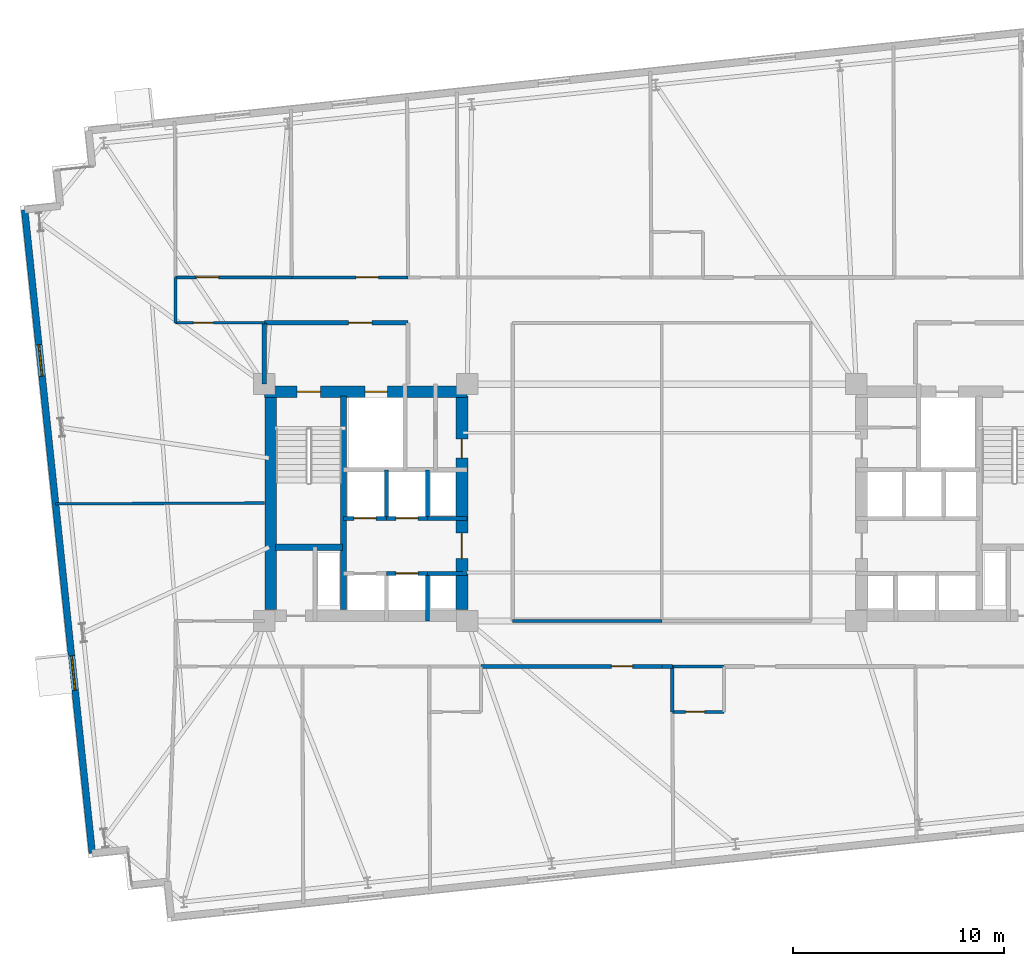
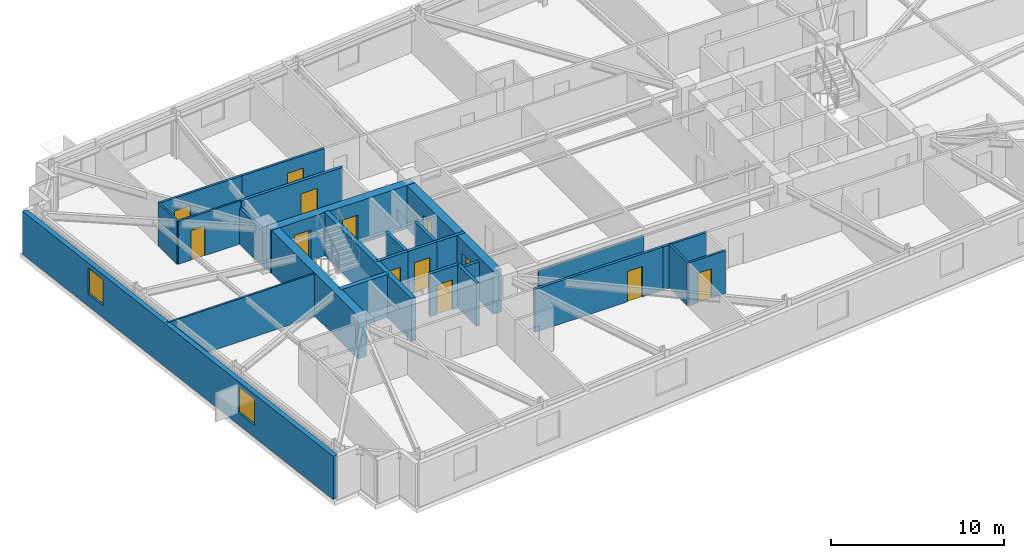
# One storey, part 12 of 18: 27 walls, 13 doors, 2 windows, 15 openings.
"""IFC4 building model written with IfcOpenShell, lengths in metres."""

from ifc_helpers import new_model, si_unit, direction, frame, frame_2d, origin, place, context, subcontext, project, spatial, rectangle, extrude, material, layer, layer_set, type_object, element, fill, save


model = new_model("IFC4")

# Units and contexts
model_context = context("Model", 3, precision=1e-05, world=origin(), true_north=direction((0.0, 1.0)))
body_context = subcontext(model_context, "Body", "Model", "MODEL_VIEW")
ifc_project = project(units=[si_unit("LENGTHUNIT", "METRE"), si_unit("AREAUNIT", "SQUARE_METRE"), si_unit("VOLUMEUNIT", "CUBIC_METRE"), si_unit("PLANEANGLEUNIT", "RADIAN"), si_unit("MASSUNIT", "GRAM", prefix="KILO")], contexts=[model_context])

# Site, building, storey
site_placement = place(None, origin())
site = spatial("IfcSite", under=ifc_project, at=site_placement, CompositionType="ELEMENT")
building_placement = place(site_placement, origin())
building = spatial("IfcBuilding", under=site, at=building_placement, Name="Qobustan Lattice House", CompositionType="ELEMENT")
storey_placement = place(building_placement, frame((0.0, 0.0, 109.14990234375)))
storey = spatial("IfcBuildingStorey", under=building, at=storey_placement, Name="L30", CompositionType="ELEMENT", Elevation=109.14990234375)

# Wall, openings, doors
ifc_material_1 = material(Name="Concrete C60/75", Category="concrete")
ifc_layer_1 = layer(ifc_material_1, 0.56005859375)
ifc_layer_set_1 = layer_set([ifc_layer_1], Name="Concrete C60/75")
wall_type_1 = type_object("IfcWallType", Name="WAL-CORE-600", PredefinedType="SHEAR", material=ifc_layer_set_1)
wall_1_placement = place(storey_placement, frame((-18.800048828125, 5.239990234375, 0.0), z_axis=(0.0, 0.0, 1.0), x_axis=(1.0, 0.0, 0.0)))
wall_1 = element("IfcWall", 1, at=wall_1_placement, inside=storey, type_object=wall_type_1, Name="L30 split-core shear wall CW-N", PredefinedType="SHEAR", context=body_context, shape_type="SweptSolid", body=[
    extrude(rectangle(XDim=9.60009765625, YDim=0.56005859375, at=frame_2d((4.800048828125, 0.0))), origin(), (0.0, 0.0, 1.0), 3.045166015625),
])
opening_1_placement = place(wall_1_placement, frame((1.550048828125, 0.0, 0.0)))
opening_1 = element("IfcOpeningElement", 2, at=opening_1_placement, cuts=wall_1, Name="Opening SD-01", PredefinedType="OPENING", context=body_context, shape_type="SweptSolid", body=[
    extrude(rectangle(XDim=1.10009765625, YDim=2.14990234375, at=frame_2d((0.550048828125, 1.074951171875))), frame((0.0, 0.2900390625, 0.0), z_axis=(0.0, -1.0, 0.0), x_axis=(1.0, 0.0, 0.0)), (0.0, 0.0, 1.0), 0.580078125),
])
opening_2_placement = place(wall_1_placement, frame((4.77490234375, 0.0, 0.0)))
opening_2 = element("IfcOpeningElement", 3, at=opening_2_placement, cuts=wall_1, Name="Opening LD-01", PredefinedType="OPENING", context=body_context, shape_type="SweptSolid", body=[
    extrude(rectangle(XDim=1.050048828125, YDim=2.10009765625, at=frame_2d((0.52490234375, 1.050048828125))), frame((0.0, 0.2900390625, 0.0), z_axis=(0.0, -1.0, 0.0), x_axis=(1.0, 0.0, 0.0)), (0.0, 0.0, 1.0), 0.580078125),
])
ifc_material_2 = material(Name="Persian walnut timber and steel frame door", Category="steel")
door_type_1 = type_object("IfcDoorType", Name="DOR-LIFT-LD-1050x2100", OperationType="NOTDEFINED", PredefinedType="DOOR", material=ifc_material_2)
door_1_placement = place(opening_2_placement, origin())
door_1 = element("IfcDoor", 4, at=door_1_placement, inside=storey, type_object=door_type_1, Name="L30 firefighting lift FF-W landing door", OperationType="DOUBLE_DOOR_SLIDING", OverallHeight=2.10009765625, OverallWidth=1.050048828125, PredefinedType="DOOR", context=body_context, shape_type="SweptSolid", body=[
    extrude(rectangle(XDim=1.050048828125, YDim=2.10009765625, at=frame_2d((0.52490234375, 1.050048828125))), frame((0.0, 0.02490234375, 0.0), z_axis=(0.0, -1.0, 0.0), x_axis=(1.0, 0.0, 0.0)), (0.0, 0.0, 1.0), 0.050048828125),
])
fill(opening_2, door_1)
ifc_material_3 = material(Name="Persian walnut timber and steel frame door", Category="steel")
door_type_2 = type_object("IfcDoorType", Name="DOR-STAIR-FD-1100x2150", OperationType="NOTDEFINED", PredefinedType="DOOR", material=ifc_material_3)
door_2_placement = place(opening_1_placement, origin())
door_2 = element("IfcDoor", 5, at=door_2_placement, inside=storey, type_object=door_type_2, Name="L30 exit stair ST-W1 fire door", OperationType="SINGLE_SWING_RIGHT", OverallHeight=2.14990234375, OverallWidth=1.10009765625, PredefinedType="DOOR", context=body_context, shape_type="SweptSolid", body=[
    extrude(rectangle(XDim=1.10009765625, YDim=2.14990234375, at=frame_2d((0.550048828125, 1.074951171875))), frame((0.0, 0.02490234375, 0.0), z_axis=(0.0, -1.0, 0.0), x_axis=(1.0, 0.0, 0.0)), (0.0, 0.0, 1.0), 0.050048828125),
])
fill(opening_1, door_2)

# Wall
wall_2_placement = place(storey_placement, frame((-18.489990234375, -5.050048828125, 0.0), z_axis=(0.0, 0.0, 1.0), x_axis=(0.0, 1.0, 0.0)))
element("IfcWall", 6, at=wall_2_placement, inside=storey, type_object=wall_type_1, Name="L30 split-core shear wall CW-W", PredefinedType="SHEAR", context=body_context, shape_type="SweptSolid", body=[
    extrude(rectangle(XDim=10.10009765625, YDim=0.56005859375, at=frame_2d((5.050048828125, 0.0))), origin(), (0.0, 0.0, 1.0), 3.045166015625),
])

# Wall, openings, doors
wall_3_placement = place(storey_placement, frame((-9.449951171875, -5.050048828125, 0.0), z_axis=(0.0, 0.0, 1.0), x_axis=(0.0, 1.0, 0.0)))
wall_3 = element("IfcWall", 7, at=wall_3_placement, inside=storey, type_object=wall_type_1, Name="L30 split-core shear wall CW-E", PredefinedType="SHEAR", context=body_context, shape_type="SweptSolid", body=[
    extrude(rectangle(XDim=10.10009765625, YDim=0.56005859375, at=frame_2d((5.050048828125, 0.0))), origin(), (0.0, 0.0, 1.0), 3.045166015625),
])
opening_3_placement = place(wall_3_placement, frame((7.14990234375, 0.0, 0.0)))
opening_3 = element("IfcOpeningElement", 8, at=opening_3_placement, cuts=wall_3, Name="Opening RD-01", PredefinedType="OPENING", context=body_context, shape_type="SweptSolid", body=[
    extrude(rectangle(XDim=0.89990234375, YDim=2.10009765625, at=frame_2d((0.449951171875, 1.050048828125))), frame((0.0, 0.2900390625, 0.0), z_axis=(0.0, -1.0, 0.0), x_axis=(1.0, 0.0, 0.0)), (0.0, 0.0, 1.0), 0.580078125),
])
opening_4_placement = place(wall_3_placement, frame((2.39990234375, 0.0, 0.0)))
opening_4 = element("IfcOpeningElement", 9, at=opening_4_placement, cuts=wall_3, Name="Opening FD-01", PredefinedType="OPENING", context=body_context, shape_type="SweptSolid", body=[
    extrude(rectangle(XDim=1.199951171875, YDim=2.14990234375, at=frame_2d((0.60009765625, 1.074951171875))), frame((0.0, 0.2900390625, 0.0), z_axis=(0.0, -1.0, 0.0), x_axis=(1.0, 0.0, 0.0)), (0.0, 0.0, 1.0), 0.580078125),
])
ifc_material_4 = material(Name="Persian walnut timber and steel frame door", Category="steel")
door_type_3 = type_object("IfcDoorType", Name="DOR-LOBBY-FD-1200x2150", OperationType="NOTDEFINED", PredefinedType="DOOR", material=ifc_material_4)
door_3_placement = place(opening_4_placement, origin())
door_3 = element("IfcDoor", 10, at=door_3_placement, inside=storey, type_object=door_type_3, Name="L30 West passenger lift lobby fire door", OperationType="SINGLE_SWING_LEFT", OverallHeight=2.14990234375, OverallWidth=1.199951171875, PredefinedType="DOOR", context=body_context, shape_type="SweptSolid", body=[
    extrude(rectangle(XDim=1.199951171875, YDim=2.14990234375, at=frame_2d((0.60009765625, 1.074951171875))), frame((0.0, 0.02490234375, 0.0), z_axis=(0.0, -1.0, 0.0), x_axis=(1.0, 0.0, 0.0)), (0.0, 0.0, 1.0), 0.050048828125),
])
fill(opening_4, door_3)
ifc_material_5 = material(Name="Persian walnut timber and steel frame door", Category="steel")
door_type_4 = type_object("IfcDoorType", Name="DOR-RISER-FD-900x2100", OperationType="NOTDEFINED", PredefinedType="DOOR", material=ifc_material_5)
door_4_placement = place(opening_3_placement, origin())
door_4 = element("IfcDoor", 11, at=door_4_placement, inside=storey, type_object=door_type_4, Name="L30 Data comms closet fire door", OperationType="SINGLE_SWING_RIGHT", OverallHeight=2.10009765625, OverallWidth=0.89990234375, PredefinedType="DOOR", context=body_context, shape_type="SweptSolid", body=[
    extrude(rectangle(XDim=0.89990234375, YDim=2.10009765625, at=frame_2d((0.449951171875, 1.050048828125))), frame((0.0, 0.02490234375, 0.0), z_axis=(0.0, -1.0, 0.0), x_axis=(1.0, 0.0, 0.0)), (0.0, 0.0, 1.0), 0.050048828125),
])
fill(opening_3, door_4)

# Walls
ifc_material_6 = material(Name="Concrete C50/60", Category="concrete")
ifc_layer_2 = layer(ifc_material_6, 0.280029296875)
ifc_layer_set_2 = layer_set([ifc_layer_2], Name="Concrete C50/60")
wall_type_2 = type_object("IfcWallType", Name="WAL-CORE-SPINE-280", PredefinedType="SHEAR", material=ifc_layer_set_2)
wall_4_placement = place(storey_placement, frame((-15.050048828125, -5.050048828125, 0.0), z_axis=(0.0, 0.0, 1.0), x_axis=(0.0, 1.0, 0.0)))
element("IfcWall", 12, at=wall_4_placement, inside=storey, type_object=wall_type_2, Name="L30 split-core shear wall CW-M", PredefinedType="SHEAR", context=body_context, shape_type="SweptSolid", body=[
    extrude(rectangle(XDim=10.10009765625, YDim=0.300048828125, at=frame_2d((5.050048828125, 0.0))), origin(), (0.0, 0.0, 1.0), 3.045166015625),
])
wall_5_placement = place(storey_placement, frame((-18.280029296875, -2.110107421875, 0.0), z_axis=(0.0, 0.0, 1.0), x_axis=(1.0, 0.0, 0.0)))
element("IfcWall", 13, at=wall_5_placement, inside=storey, type_object=wall_type_2, Name="L30 split-core shear wall CW-ST", PredefinedType="SHEAR", context=body_context, shape_type="SweptSolid", body=[
    extrude(rectangle(XDim=3.179931640625, YDim=0.300048828125, at=frame_2d((1.58984375, 0.0))), origin(), (0.0, 0.0, 1.0), 3.045166015625),
])

# Wall, openings, windows
ifc_material_7 = material(Name="Precast concrete C40/50", Category="concrete")
ifc_layer_3 = layer(ifc_material_7, 0.320068359375)
ifc_layer_set_3 = layer_set([ifc_layer_3], Name="Precast concrete C40/50")
wall_type_3 = type_object("IfcWallType", Name="WAL-EXT-STONE-320", PredefinedType="SOLIDWALL", material=ifc_layer_set_3)
wall_6_placement = place(storey_placement, frame((-26.934814453125, -16.58349609375, 0.0), z_axis=(0.0, 0.0, 1.0), x_axis=(-0.104524887486, 0.994522271192, 0.0)))
wall_6 = element("IfcWall", 14, at=wall_6_placement, inside=storey, type_object=wall_type_3, Name="L30 exterior limestone-clad wall 5", PredefinedType="SOLIDWALL", context=body_context, shape_type="SweptSolid", body=[
    extrude(rectangle(XDim=30.600341796875, YDim=0.320068359375, at=frame_2d((15.30029296875, 0.0))), origin(), (0.0, 0.0, 1.0), 3.045166015625),
])
opening_5_placement = place(wall_6_placement, frame((7.74609375, 0.0, 0.85009765625)))
opening_5 = element("IfcOpeningElement", 15, at=opening_5_placement, cuts=wall_6, Name="Opening WN-09", PredefinedType="OPENING", context=body_context, shape_type="SweptSolid", body=[
    extrude(rectangle(XDim=1.64990234375, YDim=1.85009765625, at=frame_2d((0.824951171875, 0.925048828125))), frame((0.0, 0.169921875, 0.0), z_axis=(0.0, -1.0, 0.0), x_axis=(1.0, 0.0, 0.0)), (0.0, 0.0, 1.0), 0.340087890625),
])
opening_6_placement = place(wall_6_placement, frame((22.6806640625, 0.0, 0.85009765625)))
opening_6 = element("IfcOpeningElement", 16, at=opening_6_placement, cuts=wall_6, Name="Opening WN-01", PredefinedType="OPENING", context=body_context, shape_type="SweptSolid", body=[
    extrude(rectangle(XDim=1.5, YDim=1.85009765625, at=frame_2d((0.75, 0.925048828125))), frame((0.0, 0.169921875, 0.0), z_axis=(0.0, -1.0, 0.0), x_axis=(1.0, 0.0, 0.0)), (0.0, 0.0, 1.0), 0.340087890625),
])
ifc_material_8 = material(Name="Double-glazed low-E aluminium window", Category="aluminium")
window_type_1 = type_object("IfcWindowType", Name="WIN-BED-1500x1850", PartitioningType="SINGLE_PANEL", PredefinedType="WINDOW", material=ifc_material_8)
window_1_placement = place(opening_6_placement, origin())
window_1 = element("IfcWindow", 17, at=window_1_placement, inside=storey, type_object=window_type_1, Name="L30 Music and podcast studio window", OverallHeight=1.85009765625, OverallWidth=1.5, PartitioningType="SINGLE_PANEL", PredefinedType="WINDOW", context=body_context, shape_type="SweptSolid", body=[
    extrude(rectangle(XDim=1.5, YDim=1.85009765625, at=frame_2d((0.75, 0.925048828125))), frame((0.0, 0.030029296875, 0.0), z_axis=(0.0, -1.0, 0.0), x_axis=(1.0, 0.0, 0.0)), (0.0, 0.0, 1.0), 0.06005859375),
])
fill(opening_6, window_1)
ifc_material_9 = material(Name="Double-glazed low-E aluminium window", Category="aluminium")
window_type_2 = type_object("IfcWindowType", Name="WIN-STU-1650x1850", PartitioningType="SINGLE_PANEL", PredefinedType="WINDOW", material=ifc_material_9)
window_2_placement = place(opening_5_placement, origin())
window_2 = element("IfcWindow", 18, at=window_2_placement, inside=storey, type_object=window_type_2, Name="L30 Academic seminar room window", OverallHeight=1.85009765625, OverallWidth=1.64990234375, PartitioningType="SINGLE_PANEL", PredefinedType="WINDOW", context=body_context, shape_type="SweptSolid", body=[
    extrude(rectangle(XDim=1.64990234375, YDim=1.85009765625, at=frame_2d((0.824951171875, 0.925048828125))), frame((0.0, 0.030029296875, 0.0), z_axis=(0.0, -1.0, 0.0), x_axis=(1.0, 0.0, 0.0)), (0.0, 0.0, 1.0), 0.06005859375),
])
fill(opening_5, window_2)

# Wall, opening, door
ifc_material_10 = material(Name="Gypsum fireboard acoustic partition", Category="gypsum")
ifc_layer_4 = layer(ifc_material_10, 0.179931640625)
ifc_layer_set_4 = layer_set([ifc_layer_4], Name="Gypsum fireboard acoustic partition")
wall_type_4 = type_object("IfcWallType", Name="WAL-FIRE-180", PredefinedType="PARTITIONING", material=ifc_layer_set_4)
wall_7_placement = place(storey_placement, frame((0.0, -7.75, 0.0), z_axis=(0.0, 0.0, 1.0), x_axis=(-1.0, 0.0, 0.0)))
wall_7 = element("IfcWall", 19, at=wall_7_placement, inside=storey, type_object=wall_type_4, Name="L30 interior partition 57", PredefinedType="PARTITIONING", context=body_context, shape_type="SweptSolid", body=[
    extrude(rectangle(XDim=8.550048828125, YDim=0.179931640625, at=frame_2d((4.27490234375, 0.0))), origin(), (0.0, 0.0, 1.0), 3.045166015625),
])
opening_7_placement = place(wall_7_placement, frame((1.37890625, 0.0, 0.0)))
opening_7 = element("IfcOpeningElement", 20, at=opening_7_placement, cuts=wall_7, Name="Opening FD-02", PredefinedType="OPENING", context=body_context, shape_type="SweptSolid", body=[
    extrude(rectangle(XDim=1.0, YDim=2.14990234375, at=frame_2d((0.5, 1.074951171875))), frame((0.0, 0.099853515625, 0.0), z_axis=(0.0, -1.0, 0.0), x_axis=(1.0, 0.0, 0.0)), (0.0, 0.0, 1.0), 0.199951171875),
])
ifc_material_11 = material(Name="Persian walnut timber and steel frame door", Category="steel")
door_type_5 = type_object("IfcDoorType", Name="DOR-UNIT-FD-1000x2150", OperationType="NOTDEFINED", PredefinedType="DOOR", material=ifc_material_11)
door_5_placement = place(opening_7_placement, origin())
door_5 = element("IfcDoor", 21, at=door_5_placement, inside=storey, type_object=door_type_5, Name="L30 South-west floor corridor to Kitchenette and studio apartment L30-S2 door", OperationType="SINGLE_SWING_RIGHT", OverallHeight=2.14990234375, OverallWidth=1.0, PredefinedType="DOOR", context=body_context, shape_type="SweptSolid", body=[
    extrude(rectangle(XDim=1.0, YDim=2.14990234375, at=frame_2d((0.5, 1.074951171875))), frame((0.0, 0.02490234375, 0.0), z_axis=(0.0, -1.0, 0.0), x_axis=(1.0, 0.0, 0.0)), (0.0, 0.0, 1.0), 0.050048828125),
])
fill(opening_7, door_5)

# Wall
wall_8_placement = place(storey_placement, frame((0.5, -7.75, 0.0), z_axis=(0.0, 0.0, 1.0), x_axis=(-1.0, 0.0, 0.0)))
element("IfcWall", 22, at=wall_8_placement, inside=storey, type_object=wall_type_4, Name="L30 interior partition 62", PredefinedType="PARTITIONING", context=body_context, shape_type="SweptSolid", body=[
    extrude(rectangle(XDim=0.5, YDim=0.179931640625, at=frame_2d((0.25, 0.0))), origin(), (0.0, 0.0, 1.0), 3.045166015625),
])

# Wall, opening, door
ifc_material_12 = material(Name="Lightweight acoustic stud partition", Category="gypsum")
ifc_layer_5 = layer(ifc_material_12, 0.125)
ifc_layer_set_5 = layer_set([ifc_layer_5], Name="Lightweight acoustic stud partition")
wall_type_5 = type_object("IfcWallType", Name="WAL-PART-125", PredefinedType="PARTITIONING", material=ifc_layer_set_5)
wall_9_placement = place(storey_placement, frame((-18.800048828125, 8.5, 0.0), z_axis=(0.0, 0.0, 1.0), x_axis=(-1.0, 0.0, 0.0)))
wall_9 = element("IfcWall", 23, at=wall_9_placement, inside=storey, type_object=wall_type_5, Name="L30 interior partition 38", PredefinedType="PARTITIONING", context=body_context, shape_type="SweptSolid", body=[
    extrude(rectangle(XDim=4.199951171875, YDim=0.125, at=frame_2d((2.10009765625, 0.0))), origin(), (0.0, 0.0, 1.0), 3.045166015625),
])
opening_8_placement = place(wall_9_placement, frame((2.40869140625, 0.0, 0.0)))
opening_8 = element("IfcOpeningElement", 24, at=opening_8_placement, cuts=wall_9, Name="Opening ID-01", PredefinedType="OPENING", context=body_context, shape_type="SweptSolid", body=[
    extrude(rectangle(XDim=0.949951171875, YDim=2.10009765625, at=frame_2d((0.47509765625, 1.050048828125))), frame((0.0, 0.072509765625, 0.0), z_axis=(0.0, -1.0, 0.0), x_axis=(1.0, 0.0, 0.0)), (0.0, 0.0, 1.0), 0.14501953125),
])
ifc_material_13 = material(Name="Persian walnut timber and steel frame door", Category="steel")
door_type_6 = type_object("IfcDoorType", Name="DOR-ROOM-950x2100", OperationType="NOTDEFINED", PredefinedType="DOOR", material=ifc_material_13)
door_6_placement = place(opening_8_placement, origin())
door_6 = element("IfcDoor", 25, at=door_6_placement, inside=storey, type_object=door_type_6, Name="L30 North-west floor corridor to Music and podcast studio door", OperationType="SINGLE_SWING_RIGHT", OverallHeight=2.10009765625, OverallWidth=0.949951171875, PredefinedType="DOOR", context=body_context, shape_type="SweptSolid", body=[
    extrude(rectangle(XDim=0.949951171875, YDim=2.10009765625, at=frame_2d((0.47509765625, 1.050048828125))), frame((0.0, 0.02490234375, 0.0), z_axis=(0.0, -1.0, 0.0), x_axis=(1.0, 0.0, 0.0)), (0.0, 0.0, 1.0), 0.050048828125),
])
fill(opening_8, door_6)

# Walls
wall_10_placement = place(storey_placement, frame((-23.0, 8.5, 0.0), z_axis=(0.0, 0.0, 1.0), x_axis=(0.0, 1.0, 0.0)))
element("IfcWall", 26, at=wall_10_placement, inside=storey, type_object=wall_type_5, Name="L30 interior partition 39", PredefinedType="PARTITIONING", context=body_context, shape_type="SweptSolid", body=[
    extrude(rectangle(XDim=2.14990234375, YDim=0.125, at=frame_2d((1.074951171875, 0.0))), origin(), (0.0, 0.0, 1.0), 3.045166015625),
])
wall_11_placement = place(storey_placement, frame((-28.6708984375, -0.063720703125, 0.0), z_axis=(0.0, 0.0, 1.0), x_axis=(0.999990089865, 0.004451985263, 0.0)))
element("IfcWall", 27, at=wall_11_placement, inside=storey, type_object=wall_type_5, Name="L30 interior partition 70", PredefinedType="PARTITIONING", context=body_context, shape_type="SweptSolid", body=[
    extrude(rectangle(XDim=9.870849609375, YDim=0.125, at=frame_2d((4.935546875, 0.0))), origin(), (0.0, 0.0, 1.0), 3.045166015625),
])

# Wall, opening, door
ifc_material_14 = material(Name="Acoustic twin-stud gypsum partition", Category="gypsum")
ifc_layer_6 = layer(ifc_material_14, 0.14990234375)
ifc_layer_set_6 = layer_set([ifc_layer_6], Name="Acoustic twin-stud gypsum partition")
wall_type_6 = type_object("IfcWallType", Name="WAL-PART-150", PredefinedType="PARTITIONING", material=ifc_layer_set_6)
wall_12_placement = place(storey_placement, frame((-23.0, 10.64990234375, 0.0), z_axis=(0.0, 0.0, 1.0), x_axis=(1.0, 0.0, 0.0)))
wall_12 = element("IfcWall", 28, at=wall_12_placement, inside=storey, type_object=wall_type_6, Name="L30 interior partition 40", PredefinedType="PARTITIONING", context=body_context, shape_type="SweptSolid", body=[
    extrude(rectangle(XDim=5.5, YDim=0.14990234375, at=frame_2d((2.75, 0.0))), origin(), (0.0, 0.0, 1.0), 3.045166015625),
])
opening_9_placement = place(wall_12_placement, frame((0.9912109375, 0.0, 0.0)))
opening_9 = element("IfcOpeningElement", 29, at=opening_9_placement, cuts=wall_12, Name="Opening ID-02", PredefinedType="OPENING", context=body_context, shape_type="SweptSolid", body=[
    extrude(rectangle(XDim=1.050048828125, YDim=2.14990234375, at=frame_2d((0.52490234375, 1.074951171875))), frame((0.0, 0.0849609375, 0.0), z_axis=(0.0, -1.0, 0.0), x_axis=(1.0, 0.0, 0.0)), (0.0, 0.0, 1.0), 0.169921875),
])
ifc_material_15 = material(Name="Persian walnut timber and steel frame door", Category="steel")
door_type_7 = type_object("IfcDoorType", Name="DOR-STUDY-1050x2150", OperationType="NOTDEFINED", PredefinedType="DOOR", material=ifc_material_15)
door_7_placement = place(opening_9_placement, origin())
door_7 = element("IfcDoor", 30, at=door_7_placement, inside=storey, type_object=door_type_7, Name="L30 North-west floor corridor to Focus study room N1A door", OperationType="SINGLE_SWING_LEFT", OverallHeight=2.14990234375, OverallWidth=1.050048828125, PredefinedType="DOOR", context=body_context, shape_type="SweptSolid", body=[
    extrude(rectangle(XDim=1.050048828125, YDim=2.14990234375, at=frame_2d((0.52490234375, 1.074951171875))), frame((0.0, 0.02490234375, 0.0), z_axis=(0.0, -1.0, 0.0), x_axis=(1.0, 0.0, 0.0)), (0.0, 0.0, 1.0), 0.050048828125),
])
fill(opening_9, door_7)

wall_13_placement = place(storey_placement, frame((-17.5, 10.64990234375, 0.0), z_axis=(0.0, 0.0, 1.0), x_axis=(1.0, 0.0, 0.0)))
wall_13 = element("IfcWall", 31, at=wall_13_placement, inside=storey, type_object=wall_type_6, Name="L30 interior partition 41", PredefinedType="PARTITIONING", context=body_context, shape_type="SweptSolid", body=[
    extrude(rectangle(XDim=5.5, YDim=0.14990234375, at=frame_2d((2.75, 0.0))), origin(), (0.0, 0.0, 1.0), 3.045166015625),
])
opening_10_placement = place(wall_13_placement, frame((3.047607421875, 0.0, 0.0)))
opening_10 = element("IfcOpeningElement", 32, at=opening_10_placement, cuts=wall_13, Name="Opening ID-02", PredefinedType="OPENING", context=body_context, shape_type="SweptSolid", body=[
    extrude(rectangle(XDim=1.050048828125, YDim=2.14990234375, at=frame_2d((0.52490234375, 1.074951171875))), frame((0.0, 0.0849609375, 0.0), z_axis=(0.0, -1.0, 0.0), x_axis=(1.0, 0.0, 0.0)), (0.0, 0.0, 1.0), 0.169921875),
])
door_8_placement = place(opening_10_placement, origin())
door_8 = element("IfcDoor", 33, at=door_8_placement, inside=storey, type_object=door_type_7, Name="L30 North-west floor corridor to Focus study room N1B door", OperationType="SINGLE_SWING_RIGHT", OverallHeight=2.14990234375, OverallWidth=1.050048828125, PredefinedType="DOOR", context=body_context, shape_type="SweptSolid", body=[
    extrude(rectangle(XDim=1.050048828125, YDim=2.14990234375, at=frame_2d((0.52490234375, 1.074951171875))), frame((0.0, 0.02490234375, 0.0), z_axis=(0.0, -1.0, 0.0), x_axis=(1.0, 0.0, 0.0)), (0.0, 0.0, 1.0), 0.050048828125),
])
fill(opening_10, door_8)

# Wall
wall_14_placement = place(storey_placement, frame((-7.050048828125, -5.60009765625, 0.0), z_axis=(0.0, 0.0, 1.0), x_axis=(1.0, 0.0, 0.0)))
element("IfcWall", 34, at=wall_14_placement, inside=storey, type_object=wall_type_6, Name="L30 interior partition 59", PredefinedType="PARTITIONING", context=body_context, shape_type="SweptSolid", body=[
    extrude(rectangle(XDim=7.050048828125, YDim=0.14990234375, at=frame_2d((3.52490234375, 0.0))), origin(), (0.0, 0.0, 1.0), 2.530029296875),
])

# Wall, opening, door
ifc_material_16 = material(Name="Two-hour gypsum fireboard acoustic partition", Category="gypsum")
ifc_layer_7 = layer(ifc_material_16, 0.199951171875)
ifc_layer_set_7 = layer_set([ifc_layer_7], Name="Two-hour gypsum fireboard acoustic partition")
wall_type_7 = type_object("IfcWallType", Name="WAL-PROT-200", PredefinedType="PARTITIONING", material=ifc_layer_set_7)
wall_15_placement = place(storey_placement, frame((-12.0, 8.5, 0.0), z_axis=(0.0, 0.0, 1.0), x_axis=(-1.0, 0.0, 0.0)))
wall_15 = element("IfcWall", 35, at=wall_15_placement, inside=storey, type_object=wall_type_7, Name="L30 interior partition 3", PredefinedType="PARTITIONING", context=body_context, shape_type="SweptSolid", body=[
    extrude(rectangle(XDim=6.800048828125, YDim=0.199951171875, at=frame_2d((3.39990234375, 0.0))), origin(), (0.0, 0.0, 1.0), 3.045166015625),
])
opening_11_placement = place(wall_15_placement, frame((1.715087890625, 0.0, 0.0)))
opening_11 = element("IfcOpeningElement", 36, at=opening_11_placement, cuts=wall_15, Name="Opening SD-01", PredefinedType="OPENING", context=body_context, shape_type="SweptSolid", body=[
    extrude(rectangle(XDim=1.10009765625, YDim=2.14990234375, at=frame_2d((0.550048828125, 1.074951171875))), frame((0.0, 0.10986328125, 0.0), z_axis=(0.0, -1.0, 0.0), x_axis=(1.0, 0.0, 0.0)), (0.0, 0.0, 1.0), 0.219970703125),
])
door_9_placement = place(opening_11_placement, origin())
door_9 = element("IfcDoor", 37, at=door_9_placement, inside=storey, type_object=door_type_2, Name="L30 West firefighting lift lobby to North-west floor corridor door", OperationType="SINGLE_SWING_RIGHT", OverallHeight=2.14990234375, OverallWidth=1.10009765625, PredefinedType="DOOR", context=body_context, shape_type="SweptSolid", body=[
    extrude(rectangle(XDim=1.10009765625, YDim=2.14990234375, at=frame_2d((0.550048828125, 1.074951171875))), frame((0.0, 0.02490234375, 0.0), z_axis=(0.0, -1.0, 0.0), x_axis=(1.0, 0.0, 0.0)), (0.0, 0.0, 1.0), 0.050048828125),
])
fill(opening_11, door_9)

# Wall
wall_16_placement = place(storey_placement, frame((-18.800048828125, 8.5, 0.0), z_axis=(0.0, 0.0, 1.0), x_axis=(0.0, -1.0, 0.0)))
element("IfcWall", 38, at=wall_16_placement, inside=storey, type_object=wall_type_7, Name="L30 interior partition 5", PredefinedType="PARTITIONING", context=body_context, shape_type="SweptSolid", body=[
    extrude(rectangle(XDim=2.89990234375, YDim=0.199951171875, at=frame_2d((1.449951171875, 0.0))), origin(), (0.0, 0.0, 1.0), 2.530029296875),
])

# Wall, opening, door
ifc_material_17 = material(Name="Concrete C40/50", Category="concrete")
ifc_layer_8 = layer(ifc_material_17, 0.199951171875)
ifc_layer_set_8 = layer_set([ifc_layer_8], Name="Concrete C40/50")
wall_type_8 = type_object("IfcWallType", Name="WAL-SHAFT-200", PredefinedType="PARTITIONING", material=ifc_layer_set_8)
wall_17_placement = place(storey_placement, frame((-13.02001953125, -3.35009765625, 0.0), z_axis=(0.0, 0.0, 1.0), x_axis=(1.0, 0.0, 0.0)))
wall_17 = element("IfcWall", 39, at=wall_17_placement, inside=storey, type_object=wall_type_8, Name="L30 interior partition 9", PredefinedType="PARTITIONING", context=body_context, shape_type="SweptSolid", body=[
    extrude(rectangle(XDim=1.93994140625, YDim=0.199951171875, at=frame_2d((0.969970703125, 0.0))), origin(), (0.0, 0.0, 1.0), 3.045166015625),
])
opening_12_placement = place(wall_17_placement, frame((0.445068359375, 0.0, 0.0)))
opening_12 = element("IfcOpeningElement", 40, at=opening_12_placement, cuts=wall_17, Name="Opening LD-01", PredefinedType="OPENING", context=body_context, shape_type="SweptSolid", body=[
    extrude(rectangle(XDim=1.050048828125, YDim=2.10009765625, at=frame_2d((0.52490234375, 1.050048828125))), frame((0.0, 0.10986328125, 0.0), z_axis=(0.0, -1.0, 0.0), x_axis=(1.0, 0.0, 0.0)), (0.0, 0.0, 1.0), 0.219970703125),
])
door_10_placement = place(opening_12_placement, origin())
door_10 = element("IfcDoor", 41, at=door_10_placement, inside=storey, type_object=door_type_1, Name="L30 lift landing door", OperationType="DOUBLE_DOOR_SLIDING", OverallHeight=2.10009765625, OverallWidth=1.050048828125, PredefinedType="DOOR", context=body_context, shape_type="SweptSolid", body=[
    extrude(rectangle(XDim=1.050048828125, YDim=2.10009765625, at=frame_2d((0.52490234375, 1.050048828125))), frame((0.0, 0.02490234375, 0.0), z_axis=(0.0, -1.0, 0.0), x_axis=(1.0, 0.0, 0.0)), (0.0, 0.0, 1.0), 0.050048828125),
])
fill(opening_12, door_10)

# Wall
wall_18_placement = place(storey_placement, frame((-11.080078125, -3.35009765625, 0.0), z_axis=(0.0, 0.0, 1.0), x_axis=(1.0, 0.0, 0.0)))
element("IfcWall", 42, at=wall_18_placement, inside=storey, type_object=wall_type_8, Name="L30 interior partition 10", PredefinedType="PARTITIONING", context=body_context, shape_type="SweptSolid", body=[
    extrude(rectangle(XDim=1.880126953125, YDim=0.199951171875, at=frame_2d((0.93994140625, 0.0))), origin(), (0.0, 0.0, 1.0), 2.760009765625),
])

# Wall, opening, door
wall_19_placement = place(storey_placement, frame((-13.02001953125, -0.75, 0.0), z_axis=(0.0, 0.0, 1.0), x_axis=(-1.0, 0.0, 0.0)))
wall_19 = element("IfcWall", 43, at=wall_19_placement, inside=storey, type_object=wall_type_8, Name="L30 interior partition 11", PredefinedType="PARTITIONING", context=body_context, shape_type="SweptSolid", body=[
    extrude(rectangle(XDim=2.030029296875, YDim=0.199951171875, at=frame_2d((1.01513671875, 0.0))), origin(), (0.0, 0.0, 1.0), 3.045166015625),
])
opening_13_placement = place(wall_19_placement, frame((0.489990234375, 0.0, 0.0)))
opening_13 = element("IfcOpeningElement", 44, at=opening_13_placement, cuts=wall_19, Name="Opening LD-01", PredefinedType="OPENING", context=body_context, shape_type="SweptSolid", body=[
    extrude(rectangle(XDim=1.050048828125, YDim=2.10009765625, at=frame_2d((0.52490234375, 1.050048828125))), frame((0.0, 0.10986328125, 0.0), z_axis=(0.0, -1.0, 0.0), x_axis=(1.0, 0.0, 0.0)), (0.0, 0.0, 1.0), 0.219970703125),
])
door_11_placement = place(opening_13_placement, origin())
door_11 = element("IfcDoor", 45, at=door_11_placement, inside=storey, type_object=door_type_1, Name="L30 lift landing door", OperationType="DOUBLE_DOOR_SLIDING", OverallHeight=2.10009765625, OverallWidth=1.050048828125, PredefinedType="DOOR", context=body_context, shape_type="SweptSolid", body=[
    extrude(rectangle(XDim=1.050048828125, YDim=2.10009765625, at=frame_2d((0.52490234375, 1.050048828125))), frame((0.0, 0.02490234375, 0.0), z_axis=(0.0, -1.0, 0.0), x_axis=(1.0, 0.0, 0.0)), (0.0, 0.0, 1.0), 0.050048828125),
])
fill(opening_13, door_11)

wall_20_placement = place(storey_placement, frame((-11.080078125, -0.75, 0.0), z_axis=(0.0, 0.0, 1.0), x_axis=(-1.0, 0.0, 0.0)))
wall_20 = element("IfcWall", 46, at=wall_20_placement, inside=storey, type_object=wall_type_8, Name="L30 interior partition 12", PredefinedType="PARTITIONING", context=body_context, shape_type="SweptSolid", body=[
    extrude(rectangle(XDim=1.93994140625, YDim=0.199951171875, at=frame_2d((0.969970703125, 0.0))), origin(), (0.0, 0.0, 1.0), 3.045166015625),
])
opening_14_placement = place(wall_20_placement, frame((0.445068359375, 0.0, 0.0)))
opening_14 = element("IfcOpeningElement", 47, at=opening_14_placement, cuts=wall_20, Name="Opening LD-01", PredefinedType="OPENING", context=body_context, shape_type="SweptSolid", body=[
    extrude(rectangle(XDim=1.050048828125, YDim=2.10009765625, at=frame_2d((0.52490234375, 1.050048828125))), frame((0.0, 0.10986328125, 0.0), z_axis=(0.0, -1.0, 0.0), x_axis=(1.0, 0.0, 0.0)), (0.0, 0.0, 1.0), 0.219970703125),
])
door_12_placement = place(opening_14_placement, origin())
door_12 = element("IfcDoor", 48, at=door_12_placement, inside=storey, type_object=door_type_1, Name="L30 lift landing door", OperationType="DOUBLE_DOOR_SLIDING", OverallHeight=2.10009765625, OverallWidth=1.050048828125, PredefinedType="DOOR", context=body_context, shape_type="SweptSolid", body=[
    extrude(rectangle(XDim=1.050048828125, YDim=2.10009765625, at=frame_2d((0.52490234375, 1.050048828125))), frame((0.0, 0.02490234375, 0.0), z_axis=(0.0, -1.0, 0.0), x_axis=(1.0, 0.0, 0.0)), (0.0, 0.0, 1.0), 0.050048828125),
])
fill(opening_14, door_12)

# Walls
wall_21_placement = place(storey_placement, frame((-9.199951171875, -0.75, 0.0), z_axis=(0.0, 0.0, 1.0), x_axis=(-1.0, 0.0, 0.0)))
element("IfcWall", 49, at=wall_21_placement, inside=storey, type_object=wall_type_8, Name="L30 interior partition 13", PredefinedType="PARTITIONING", context=body_context, shape_type="SweptSolid", body=[
    extrude(rectangle(XDim=1.880126953125, YDim=0.199951171875, at=frame_2d((0.93994140625, 0.0))), origin(), (0.0, 0.0, 1.0), 3.045166015625),
])
wall_22_placement = place(storey_placement, frame((-11.080078125, -5.60009765625, 0.0), z_axis=(0.0, 0.0, 1.0), x_axis=(0.0, 1.0, 0.0)))
element("IfcWall", 50, at=wall_22_placement, inside=storey, type_object=wall_type_8, Name="L30 interior partition 16", PredefinedType="PARTITIONING", context=body_context, shape_type="SweptSolid", body=[
    extrude(rectangle(XDim=2.25, YDim=0.199951171875, at=frame_2d((1.125, 0.0))), origin(), (0.0, 0.0, 1.0), 3.045166015625),
])
for number, where, z_axis, x_axis, name in (
    (51, (-13.02001953125, -0.75, 0.0), (0.0, 0.0, 1.0), (0.0, 1.0, 0.0), "L30 interior partition 17"),
    (52, (-11.080078125, -0.75, 0.0), (0.0, 0.0, 1.0), (0.0, 1.0, 0.0), "L30 interior partition 18"),
):
    element("IfcWall", number, at=place(storey_placement, frame(where, z_axis=z_axis, x_axis=x_axis)), inside=storey, type_object=wall_type_8, Name=name, PredefinedType="PARTITIONING", context=body_context, shape_type="SweptSolid", body=[
        extrude(rectangle(XDim=2.300048828125, YDim=0.199951171875, at=frame_2d((1.14990234375, 0.0))), origin(), (0.0, 0.0, 1.0), 3.045166015625),
    ])
ifc_material_18 = material(Name="Moisture-resistant acoustic plumbing wall", Category="gypsum")
ifc_layer_9 = layer(ifc_material_18, 0.14990234375)
ifc_layer_set_9 = layer_set([ifc_layer_9], Name="Moisture-resistant acoustic plumbing wall")
wall_type_9 = type_object("IfcWallType", Name="WAL-WET-150", PredefinedType="PLUMBINGWALL", material=ifc_layer_set_9)
wall_23_placement = place(storey_placement, frame((2.949951171875, -7.75, 0.0), z_axis=(0.0, 0.0, 1.0), x_axis=(-1.0, 0.0, 0.0)))
element("IfcWall", 53, at=wall_23_placement, inside=storey, type_object=wall_type_9, Name="L30 interior partition 64", PredefinedType="PLUMBINGWALL", context=body_context, shape_type="SweptSolid", body=[
    extrude(rectangle(XDim=2.449951171875, YDim=0.14990234375, at=frame_2d((1.22509765625, 0.0))), origin(), (0.0, 0.0, 1.0), 3.045166015625),
])
wall_24_placement = place(storey_placement, frame((0.5, -7.75, 0.0), z_axis=(0.0, 0.0, 1.0), x_axis=(0.0, -1.0, 0.0)))
element("IfcWall", 54, at=wall_24_placement, inside=storey, type_object=wall_type_9, Name="L30 interior partition 91", PredefinedType="PLUMBINGWALL", context=body_context, shape_type="SweptSolid", body=[
    extrude(rectangle(XDim=2.14990234375, YDim=0.14990234375, at=frame_2d((1.074951171875, 0.0))), origin(), (0.0, 0.0, 1.0), 3.045166015625),
])

# Wall, opening, door
wall_25_placement = place(storey_placement, frame((0.5, -9.89990234375, 0.0), z_axis=(0.0, 0.0, 1.0), x_axis=(1.0, 0.0, 0.0)))
wall_25 = element("IfcWall", 55, at=wall_25_placement, inside=storey, type_object=wall_type_9, Name="L30 interior partition 92", PredefinedType="PLUMBINGWALL", context=body_context, shape_type="SweptSolid", body=[
    extrude(rectangle(XDim=2.449951171875, YDim=0.14990234375, at=frame_2d((1.22509765625, 0.0))), origin(), (0.0, 0.0, 1.0), 3.045166015625),
])
opening_15_placement = place(wall_25_placement, frame((0.62890625, 0.0, 0.0)))
opening_15 = element("IfcOpeningElement", 56, at=opening_15_placement, cuts=wall_25, Name="Opening WD-01", PredefinedType="OPENING", context=body_context, shape_type="SweptSolid", body=[
    extrude(rectangle(XDim=0.89990234375, YDim=2.10009765625, at=frame_2d((0.449951171875, 1.050048828125))), frame((0.0, 0.0849609375, 0.0), z_axis=(0.0, -1.0, 0.0), x_axis=(1.0, 0.0, 0.0)), (0.0, 0.0, 1.0), 0.169921875),
])
ifc_material_19 = material(Name="Persian walnut timber and steel frame door", Category="steel")
door_type_8 = type_object("IfcDoorType", Name="DOR-WET-900x2100", OperationType="NOTDEFINED", PredefinedType="DOOR", material=ifc_material_19)
door_13_placement = place(opening_15_placement, origin())
door_13 = element("IfcDoor", 57, at=door_13_placement, inside=storey, type_object=door_type_8, Name="L30 Kitchenette and studio apartment L30-S3 to En-suite bathroom L30-S3 door", OperationType="SINGLE_SWING_LEFT", OverallHeight=2.10009765625, OverallWidth=0.89990234375, PredefinedType="DOOR", context=body_context, shape_type="SweptSolid", body=[
    extrude(rectangle(XDim=0.89990234375, YDim=2.10009765625, at=frame_2d((0.449951171875, 1.050048828125))), frame((0.0, 0.02490234375, 0.0), z_axis=(0.0, -1.0, 0.0), x_axis=(1.0, 0.0, 0.0)), (0.0, 0.0, 1.0), 0.050048828125),
])
fill(opening_15, door_13)

save(model, "model.ifc")
